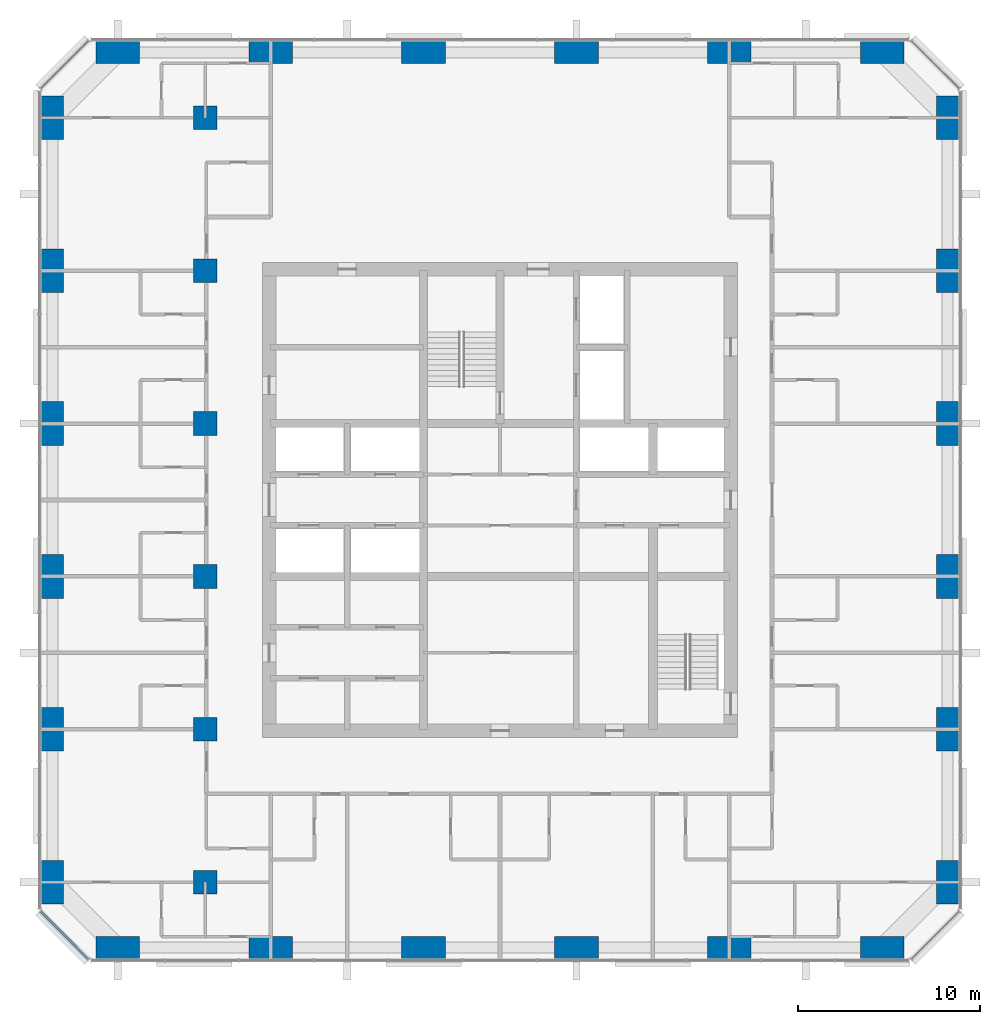
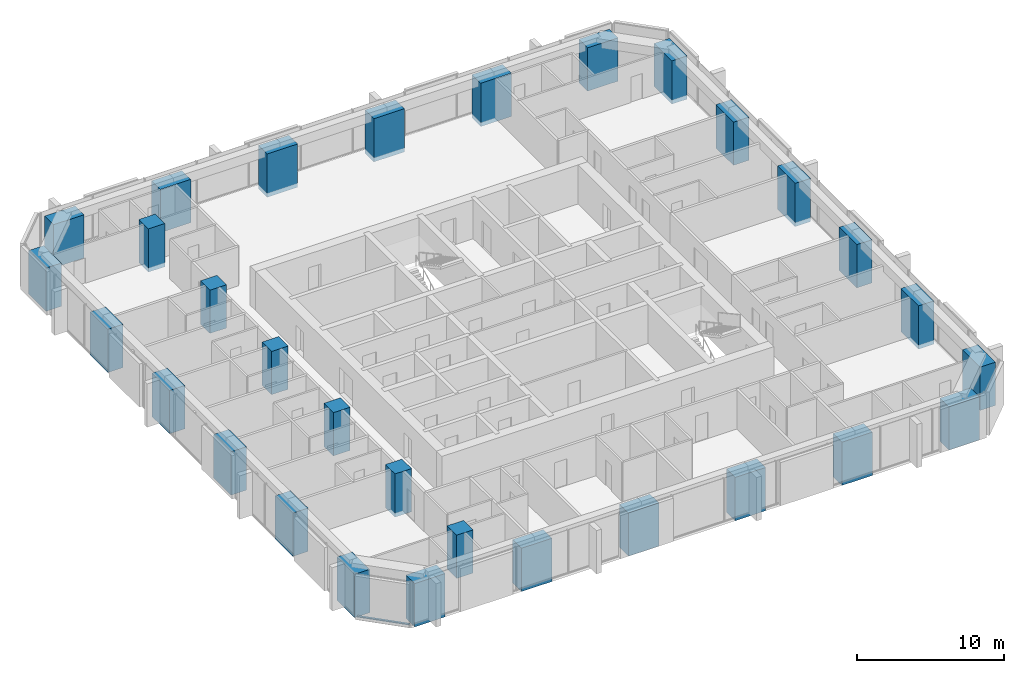
# One storey, part 1 of 13: 30 columns, 1 member, 1 element without a shape of its own.
"""IFC4 building model written with IfcOpenShell, lengths in metres."""

from ifc_helpers import new_model, si_unit, direction, frame, origin, origin_2d, place, context, subcontext, project, spatial, rectangle, extrude, material, material_profile, profile_set, type_object, element, aggregate, save


model = new_model("IFC4")

# Units and contexts
model_context = context("Model", 3, precision=1e-05, world=origin(), true_north=direction((0.0, 1.0)))
body_context = subcontext(model_context, "Body", "Model", "MODEL_VIEW")
ifc_project = project(units=[si_unit("LENGTHUNIT", "METRE"), si_unit("AREAUNIT", "SQUARE_METRE"), si_unit("VOLUMEUNIT", "CUBIC_METRE"), si_unit("PLANEANGLEUNIT", "RADIAN"), si_unit("MASSUNIT", "GRAM", prefix="KILO")], contexts=[model_context])

# Site, building, storey
site_placement = place(None, origin())
site = spatial("IfcSite", under=ifc_project, at=site_placement, CompositionType="ELEMENT")
building_placement = place(site_placement, origin())
building = spatial("IfcBuilding", under=site, at=building_placement, Name="Dunama Terrace Hotel", CompositionType="ELEMENT")
storey_placement = place(building_placement, frame((0.0, 0.0, 169.800048828125)))
storey = spatial("IfcBuildingStorey", under=building, at=storey_placement, Name="L43", CompositionType="ELEMENT", Elevation=169.800048828125)

# Columns
ifc_material_1 = material(Name="Concrete C60/75", Category="concrete")
ifc_material_profile_1 = material_profile(ifc_material_1, rectangle(XDim=1.199951171875, YDim=2.39990234375, at=origin_2d()), Name="RC 1200x2400")
ifc_profile_set_1 = profile_set([ifc_material_profile_1], Name="Concrete C60/75")
column_type_1 = type_object("IfcColumnType", Name="Column RC 1200x2400", PredefinedType="COLUMN", material=ifc_profile_set_1)
for number, where, z_axis, x_axis, name in (
    (1, (4.800048828125, 8.39990234375, -0.35009765625), (0.0, 0.0, 1.0), (1.0, 0.0, 0.0), "Column L43 +4.8/+8.4"),
    (2, (4.800048828125, 16.800048828125, -0.35009765625), (0.0, 0.0, 1.0), (1.0, 0.0, 0.0), "Column L43 +4.8/+16.8"),
    (3, (4.800048828125, 25.199951171875, -0.35009765625), (0.0, 0.0, 1.0), (1.0, 0.0, 0.0), "Column L43 +4.8/+25.2"),
    (4, (4.800048828125, 33.60009765625, -0.35009765625), (0.0, 0.0, 1.0), (1.0, 0.0, 0.0), "Column L43 +4.8/+33.6"),
    (5, (4.800048828125, 42.0, -0.35009765625), (0.0, 0.0, 1.0), (1.0, 0.0, 0.0), "Column L43 +4.8/+42.0"),
    (6, (4.800048828125, 50.39990234375, -0.35009765625), (0.0, 0.0, 1.0), (1.0, 0.0, 0.0), "Column L43 +4.8/+50.4"),
    (7, (54.0, 8.39990234375, -0.35009765625), (0.0, 0.0, 1.0), (1.0, 0.0, 0.0), "Column L43 +54.0/+8.4"),
    (8, (54.0, 16.800048828125, -0.35009765625), (0.0, 0.0, 1.0), (1.0, 0.0, 0.0), "Column L43 +54.0/+16.8"),
    (9, (54.0, 25.199951171875, -0.35009765625), (0.0, 0.0, 1.0), (1.0, 0.0, 0.0), "Column L43 +54.0/+25.2"),
    (10, (54.0, 33.60009765625, -0.35009765625), (0.0, 0.0, 1.0), (1.0, 0.0, 0.0), "Column L43 +54.0/+33.6"),
    (11, (54.0, 42.0, -0.35009765625), (0.0, 0.0, 1.0), (1.0, 0.0, 0.0), "Column L43 +54.0/+42.0"),
    (12, (54.0, 50.39990234375, -0.35009765625), (0.0, 0.0, 1.0), (1.0, 0.0, 0.0), "Column L43 +54.0/+50.4"),
):
    element("IfcColumn", number, at=place(storey_placement, frame(where, z_axis=z_axis, x_axis=x_axis)), inside=storey, type_object=column_type_1, Name=name, PredefinedType="COLUMN", context=body_context, shape_type="SweptSolid", body=[
        extrude(rectangle(XDim=1.199951171875, YDim=2.39990234375, at=origin_2d()), origin(), (0.0, 0.0, 1.0), 3.60009765625),
    ])
ifc_material_2 = material(Name="Concrete C60/75", Category="concrete")
ifc_material_profile_2 = material_profile(ifc_material_2, rectangle(XDim=1.300048828125, YDim=1.300048828125, at=origin_2d()), Name="RC 1300x1300")
ifc_profile_set_2 = profile_set([ifc_material_profile_2], Name="Concrete C60/75")
column_type_2 = type_object("IfcColumnType", Name="Column RC 1300x1300", PredefinedType="COLUMN", material=ifc_profile_set_2)
for number, where, z_axis, x_axis, name in (
    (13, (13.199951171875, 8.39990234375, -0.35009765625), (0.0, 0.0, 1.0), (1.0, 0.0, 0.0), "Column L43 +13.2/+8.4"),
    (14, (13.199951171875, 16.800048828125, -0.35009765625), (0.0, 0.0, 1.0), (1.0, 0.0, 0.0), "Column L43 +13.2/+16.8"),
    (15, (13.199951171875, 25.199951171875, -0.35009765625), (0.0, 0.0, 1.0), (1.0, 0.0, 0.0), "Column L43 +13.2/+25.2"),
    (16, (13.199951171875, 33.60009765625, -0.35009765625), (0.0, 0.0, 1.0), (1.0, 0.0, 0.0), "Column L43 +13.2/+33.6"),
    (17, (13.199951171875, 42.0, -0.35009765625), (0.0, 0.0, 1.0), (1.0, 0.0, 0.0), "Column L43 +13.2/+42.0"),
    (18, (13.199951171875, 50.39990234375, -0.35009765625), (0.0, 0.0, 1.0), (1.0, 0.0, 0.0), "Column L43 +13.2/+50.4"),
):
    element("IfcColumn", number, at=place(storey_placement, frame(where, z_axis=z_axis, x_axis=x_axis)), inside=storey, type_object=column_type_2, Name=name, PredefinedType="COLUMN", context=body_context, shape_type="SweptSolid", body=[
        extrude(rectangle(XDim=1.300048828125, YDim=1.300048828125, at=origin_2d()), origin(), (0.0, 0.0, 1.0), 3.60009765625),
    ])
ifc_material_3 = material(Name="Concrete C60/75", Category="concrete")
ifc_material_profile_3 = material_profile(ifc_material_3, rectangle(XDim=2.39990234375, YDim=1.199951171875, at=origin_2d()), Name="RC 2400x1200")
ifc_profile_set_3 = profile_set([ifc_material_profile_3], Name="Concrete C60/75")
column_type_3 = type_object("IfcColumnType", Name="Column RC 2400x1200", PredefinedType="COLUMN", material=ifc_profile_set_3)
for number, where, z_axis, x_axis, name in (
    (19, (8.39990234375, 4.800048828125, -0.35009765625), (0.0, 0.0, 1.0), (1.0, 0.0, 0.0), "Column L43 +8.4/+4.8"),
    (20, (8.39990234375, 54.0, -0.35009765625), (0.0, 0.0, 1.0), (1.0, 0.0, 0.0), "Column L43 +8.4/+54.0"),
    (21, (16.800048828125, 4.800048828125, -0.35009765625), (0.0, 0.0, 1.0), (1.0, 0.0, 0.0), "Column L43 +16.8/+4.8"),
    (22, (16.800048828125, 54.0, -0.35009765625), (0.0, 0.0, 1.0), (1.0, 0.0, 0.0), "Column L43 +16.8/+54.0"),
    (23, (25.199951171875, 4.800048828125, -0.35009765625), (0.0, 0.0, 1.0), (1.0, 0.0, 0.0), "Column L43 +25.2/+4.8"),
    (24, (25.199951171875, 54.0, -0.35009765625), (0.0, 0.0, 1.0), (1.0, 0.0, 0.0), "Column L43 +25.2/+54.0"),
    (25, (33.60009765625, 4.800048828125, -0.35009765625), (0.0, 0.0, 1.0), (1.0, 0.0, 0.0), "Column L43 +33.6/+4.8"),
    (26, (33.60009765625, 54.0, -0.35009765625), (0.0, 0.0, 1.0), (1.0, 0.0, 0.0), "Column L43 +33.6/+54.0"),
    (27, (42.0, 4.800048828125, -0.35009765625), (0.0, 0.0, 1.0), (1.0, 0.0, 0.0), "Column L43 +42.0/+4.8"),
    (28, (42.0, 54.0, -0.35009765625), (0.0, 0.0, 1.0), (1.0, 0.0, 0.0), "Column L43 +42.0/+54.0"),
    (29, (50.39990234375, 4.800048828125, -0.35009765625), (0.0, 0.0, 1.0), (1.0, 0.0, 0.0), "Column L43 +50.4/+4.8"),
    (30, (50.39990234375, 54.0, -0.35009765625), (0.0, 0.0, 1.0), (1.0, 0.0, 0.0), "Column L43 +50.4/+54.0"),
):
    element("IfcColumn", number, at=place(storey_placement, frame(where, z_axis=z_axis, x_axis=x_axis)), inside=storey, type_object=column_type_3, Name=name, PredefinedType="COLUMN", context=body_context, shape_type="SweptSolid", body=[
        extrude(rectangle(XDim=2.39990234375, YDim=1.199951171875, at=origin_2d()), origin(), (0.0, 0.0, 1.0), 3.60009765625),
    ])

# Curtain wall, member
ifc_material_4 = material(Name="Aluminium curtain wall system", Category="aluminium")
curtain_wall_type = type_object("IfcCurtainWallType", Name="Unitised fritted glass wall CW-C", PredefinedType="NOTDEFINED", material=ifc_material_4)
curtain_wall_placement = place(storey_placement, origin())
curtain_wall = element("IfcCurtainWall", 31, at=curtain_wall_placement, inside=storey, type_object=curtain_wall_type, Name="Unitised fritted glass wall CW-C L43", PredefinedType="NOTDEFINED")
ifc_material_5 = material(Name="Aluminium transom", Category="aluminium")
ifc_material_profile_4 = material_profile(ifc_material_5, rectangle(XDim=0.159912109375, YDim=0.080078125, at=origin_2d()), Name="CWC TRANSOM 160X80")
ifc_profile_set_4 = profile_set([ifc_material_profile_4], Name="Aluminium transom")
member_type = type_object("IfcMemberType", Name="CWC transom 160x80", PredefinedType="USERDEFINED", material=ifc_profile_set_4)
member_placement = place(storey_placement, frame((4.178955078125, 6.780029296875, 0.0400390625), z_axis=(0.707106781187, -0.707106781187, 0.0), x_axis=(0.707106781187, 0.707106781187, 0.0)))
member = element("IfcMember", 32, at=member_placement, type_object=member_type, Name="CWC transom", ObjectType="TRANSOM", PredefinedType="USERDEFINED", context=body_context, shape_type="SweptSolid", body=[
    extrude(rectangle(XDim=0.159912109375, YDim=0.080078125, at=origin_2d()), origin(), (0.0, 0.0, 1.0), 3.678466796875),
])
aggregate(curtain_wall, [member])

save(model, "model.ifc")
